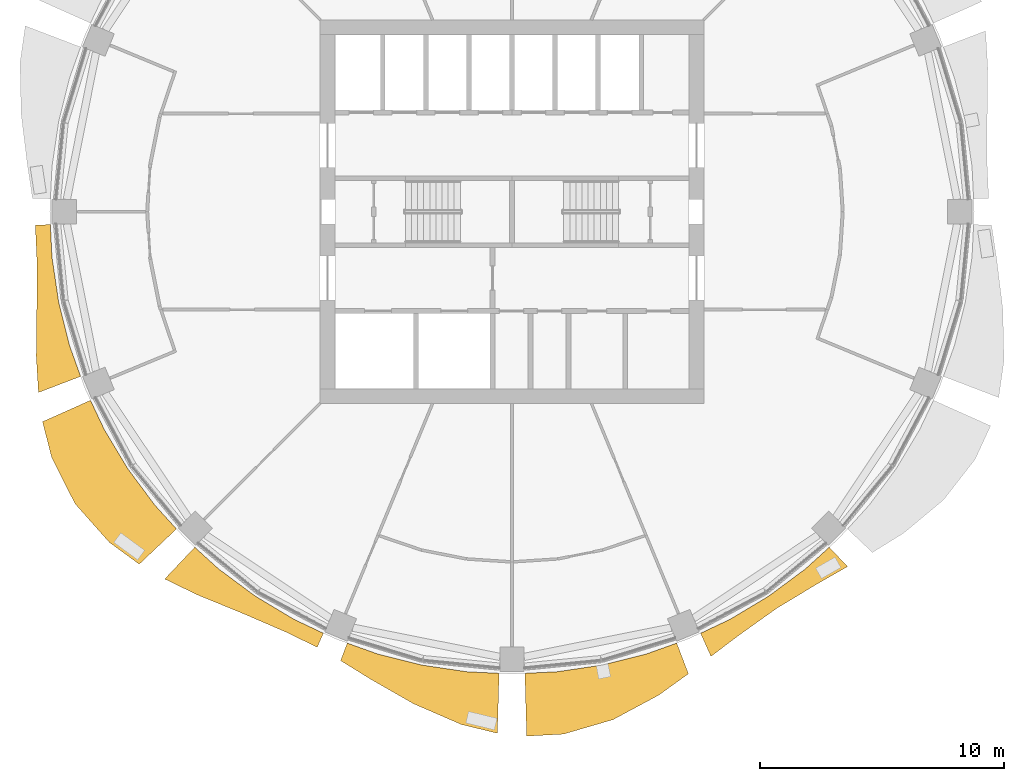
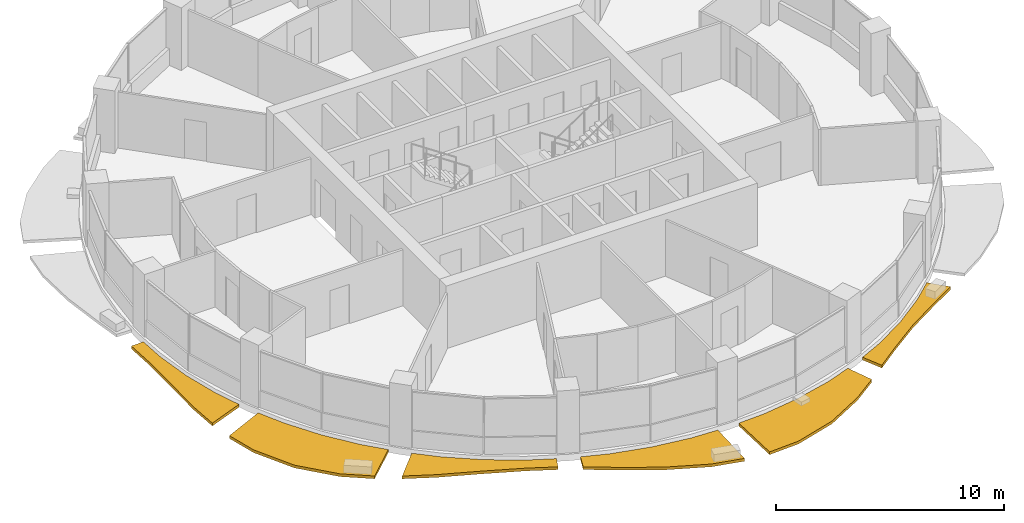
# One storey, part 12 of 15: 6 shading devices.
"""IFC4 building model written with IfcOpenShell, lengths in metres."""

from ifc_helpers import new_model, si_unit, direction, frame, origin, place, context, subcontext, project, spatial, polyline, outline, extrude, material, type_object, element, save


model = new_model("IFC4")

# Units and contexts
model_context = context("Model", 3, precision=1e-05, world=origin(), true_north=direction((0.0, 1.0)))
body_context = subcontext(model_context, "Body", "Model", "MODEL_VIEW")
ifc_project = project(units=[si_unit("LENGTHUNIT", "METRE"), si_unit("AREAUNIT", "SQUARE_METRE"), si_unit("VOLUMEUNIT", "CUBIC_METRE"), si_unit("PLANEANGLEUNIT", "RADIAN"), si_unit("MASSUNIT", "GRAM", prefix="KILO")], contexts=[model_context])

# Site, building, storey
site_placement = place(None, origin())
site = spatial("IfcSite", under=ifc_project, at=site_placement, CompositionType="ELEMENT")
building_placement = place(site_placement, origin())
building = spatial("IfcBuilding", under=site, at=building_placement, Name="Polderwave Tower", CompositionType="ELEMENT")
storey_placement = place(building_placement, frame((0.0, 0.0, 134.35009765625)))
storey = spatial("IfcBuildingStorey", under=building, at=storey_placement, Name="L35", CompositionType="ELEMENT", Elevation=134.35009765625)

# Shading devices
ifc_material = material(Name="Terracotta", Category="masonry")
shading_device_type = type_object("IfcShadingDeviceType", Name="Terracotta sunshade band", PredefinedType="USERDEFINED", material=ifc_material)
shading_device_1_placement = place(storey_placement, frame((0.0, 0.0, -0.35009765625)))
element("IfcShadingDevice", 1, at=shading_device_1_placement, inside=storey, type_object=shading_device_type, Name="Sunshade band L35 9", ObjectType="SUNSHADE", PredefinedType="USERDEFINED", context=body_context, shape_type="SweptSolid", body=[
    extrude(outline(polyline([(-18.9541015625, -0.530029296875), (-18.888671875, -1.8603515625), (-18.615234375, -3.702880859375), (-18.16259765625, -5.509521484375), (-17.714111328125, -6.763671875), (-19.4443359375, -7.42431640625), (-19.535400390625, -5.926025390625), (-19.51220703125, -3.881103515625), (-19.510986328125, -1.921630859375), (-19.57275390625, -0.54736328125), (-18.9541015625, -0.530029296875)])), origin(), (0.0, 0.0, 1.0), 0.14990234375),
])
shading_device_2_placement = place(storey_placement, frame((0.0, 0.0, -0.35009765625)))
element("IfcShadingDevice", 2, at=shading_device_2_placement, inside=storey, type_object=shading_device_type, Name="Sunshade band L35 10", ObjectType="SUNSHADE", PredefinedType="USERDEFINED", context=body_context, shape_type="SweptSolid", body=[
    extrude(outline(polyline([(-17.308349609375, -7.7431640625), (-16.739013671875, -8.947021484375), (-15.78125, -10.544677734375), (-14.671630859375, -12.040771484375), (-13.77734375, -13.027587890625), (-15.3076171875, -14.474609375), (-16.5380859375, -13.572509765625), (-17.942626953125, -11.989013671875), (-18.8974609375, -10.100830078125), (-19.277099609375, -8.623779296875), (-17.308349609375, -7.7431640625)])), origin(), (0.0, 0.0, 1.0), 0.14990234375),
])
shading_device_3_placement = place(storey_placement, frame((0.0, 0.0, -0.35009765625)))
element("IfcShadingDevice", 3, at=shading_device_3_placement, inside=storey, type_object=shading_device_type, Name="Sunshade band L35 11", ObjectType="SUNSHADE", PredefinedType="USERDEFINED", context=body_context, shape_type="SweptSolid", body=[
    extrude(outline(polyline([(-13.027587890625, -13.77734375), (-12.040771484375, -14.671630859375), (-10.544677734375, -15.78125), (-8.947021484375, -16.739013671875), (-7.7431640625, -17.308349609375), (-8.001220703125, -17.885498046875), (-9.236572265625, -17.2802734375), (-11.029296875, -16.50634765625), (-12.91357421875, -15.735107421875), (-14.26025390625, -15.080810546875), (-13.027587890625, -13.77734375)])), origin(), (0.0, 0.0, 1.0), 0.14990234375),
])
shading_device_4_placement = place(storey_placement, frame((0.0, 0.0, -0.35009765625)))
element("IfcShadingDevice", 4, at=shading_device_4_placement, inside=storey, type_object=shading_device_type, Name="Sunshade band L35 12", ObjectType="SUNSHADE", PredefinedType="USERDEFINED", context=body_context, shape_type="SweptSolid", body=[
    extrude(outline(polyline([(-6.763671875, -17.714111328125), (-5.509521484375, -18.16259765625), (-3.702880859375, -18.615234375), (-1.8603515625, -18.888671875), (-0.530029296875, -18.9541015625), (-0.598876953125, -21.41552734375), (-2.07421875, -21.058349609375), (-4.020751953125, -20.2138671875), (-5.820068359375, -19.186279296875), (-7.0380859375, -18.4326171875), (-6.763671875, -17.714111328125)])), origin(), (0.0, 0.0, 1.0), 0.14990234375),
])
shading_device_5_placement = place(storey_placement, frame((0.0, 0.0, -0.35009765625)))
element("IfcShadingDevice", 5, at=shading_device_5_placement, inside=storey, type_object=shading_device_type, Name="Sunshade band L35 13", ObjectType="SUNSHADE", PredefinedType="USERDEFINED", context=body_context, shape_type="SweptSolid", body=[
    extrude(outline(polyline([(0.530029296875, -18.9541015625), (1.8603515625, -18.888671875), (3.702880859375, -18.615234375), (5.509521484375, -18.16259765625), (6.763671875, -17.714111328125), (7.244384765625, -18.97314453125), (6.022216796875, -19.852294921875), (4.148681640625, -20.85693359375), (2.11279296875, -21.45068359375), (0.602294921875, -21.533935546875), (0.530029296875, -18.9541015625)])), origin(), (0.0, 0.0, 1.0), 0.14990234375),
])
shading_device_6_placement = place(storey_placement, frame((0.0, 0.0, -0.35009765625)))
element("IfcShadingDevice", 6, at=shading_device_6_placement, inside=storey, type_object=shading_device_type, Name="Sunshade band L35 14", ObjectType="SUNSHADE", PredefinedType="USERDEFINED", context=body_context, shape_type="SweptSolid", body=[
    extrude(outline(polyline([(7.7431640625, -17.308349609375), (8.947021484375, -16.739013671875), (10.544677734375, -15.78125), (12.040771484375, -14.671630859375), (13.027587890625, -13.77734375), (13.779296875, -14.572265625), (12.5390625, -15.27880859375), (10.87841796875, -16.280517578125), (9.3017578125, -17.40234375), (8.169189453125, -18.2607421875), (7.7431640625, -17.308349609375)])), origin(), (0.0, 0.0, 1.0), 0.14990234375),
])

save(model, "model.ifc")
